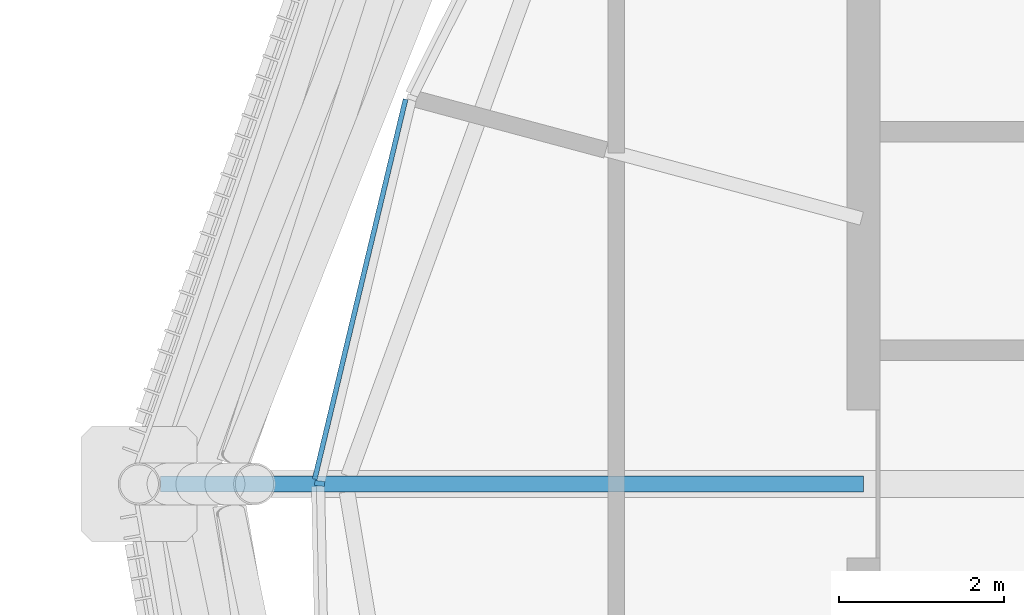
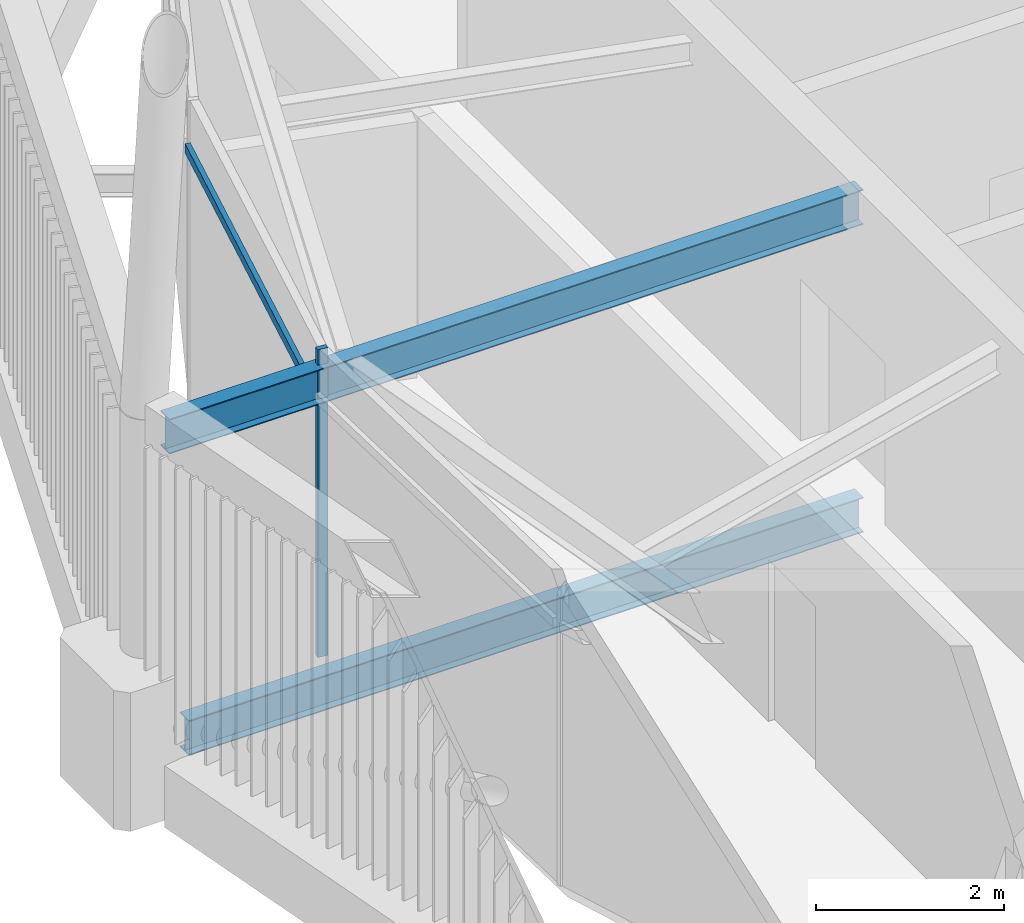
# One storey, part 45 of 71: 2 beams, 2 members, 1 element without a shape of its own.
"""IFC4 building model written with IfcOpenShell, lengths in metres."""

from ifc_helpers import new_model, si_unit, direction, frame, origin, origin_2d, place, context, subcontext, project, spatial, rectangle, i_section, extrude, material, material_profile, profile_set, type_object, element, aggregate, save


model = new_model("IFC4")

# Units and contexts
model_context = context("Model", 3, precision=1e-05, world=origin(), true_north=direction((0.0, 1.0)))
body_context = subcontext(model_context, "Body", "Model", "MODEL_VIEW")
ifc_project = project(units=[si_unit("LENGTHUNIT", "METRE"), si_unit("AREAUNIT", "SQUARE_METRE"), si_unit("VOLUMEUNIT", "CUBIC_METRE"), si_unit("PLANEANGLEUNIT", "RADIAN"), si_unit("MASSUNIT", "GRAM", prefix="KILO")], contexts=[model_context])

# Site, building, storey
site_placement = place(None, origin())
site = spatial("IfcSite", under=ifc_project, at=site_placement, CompositionType="ELEMENT")
building_placement = place(site_placement, origin())
building = spatial("IfcBuilding", under=site, at=building_placement, Name="Rimbun Link Towers", CompositionType="ELEMENT")
storey_placement = place(building_placement, frame((0.0, 0.0, 267.60009765625)))
storey = spatial("IfcBuildingStorey", under=building, at=storey_placement, Name="L65", CompositionType="ELEMENT", Elevation=267.60009765625)

# Curtain wall, members
ifc_material_1 = material(Name="Aluminium 6063-T6 louvre wall", Category="aluminium")
curtain_wall_type = type_object("IfcCurtainWallType", Name="CW6 plant floor louvre wall", PredefinedType="NOTDEFINED", material=ifc_material_1)
curtain_wall_placement = place(storey_placement, origin())
curtain_wall = element("IfcCurtainWall", 1, at=curtain_wall_placement, inside=storey, type_object=curtain_wall_type, Name="CW6 L65 T2", PredefinedType="NOTDEFINED")
ifc_material_2 = material(Name="Aluminium 6063-T6", Category="aluminium")
ifc_material_profile_1 = material_profile(ifc_material_2, rectangle(XDim=0.1201171875, YDim=0.06005859375, at=origin_2d()), Name="MULLION 60X120")
ifc_profile_set_1 = profile_set([ifc_material_profile_1], Name="Aluminium 6063-T6")
member_type_1 = type_object("IfcMemberType", Name="CW6 mullion 60X120", PredefinedType="MULLION", material=ifc_profile_set_1)
member_1_placement = place(storey_placement, frame((13.14990234375, 0.00634765625, 0.0), z_axis=(0.0, 0.0, 1.0), x_axis=(-0.99429762621, 0.10664066069, 0.0)))
member_1 = element("IfcMember", 2, at=member_1_placement, type_object=member_type_1, Name="CW6 mullion", PredefinedType="MULLION", context=body_context, shape_type="SweptSolid", body=[
    extrude(rectangle(XDim=0.1201171875, YDim=0.06005859375, at=origin_2d()), origin(), (0.0, 0.0, 1.0), 4.0),
])
ifc_material_3 = material(Name="Aluminium 6063-T6", Category="aluminium")
ifc_material_profile_2 = material_profile(ifc_material_3, rectangle(XDim=0.06005859375, YDim=0.1201171875, at=origin_2d()), Name="TRANSOM 60X120")
ifc_profile_set_2 = profile_set([ifc_material_profile_2], Name="Aluminium 6063-T6")
member_type_2 = type_object("IfcMemberType", Name="CW6 transom 60X120", PredefinedType="USERDEFINED", material=ifc_profile_set_2)
member_2_placement = place(storey_placement, frame((13.090087890625, 0.059326171875, 3.39990234375), z_axis=(0.232585921944, 0.972575852524, 0.0), x_axis=(-0.972575852524, 0.232585921944, 0.0)))
member_2 = element("IfcMember", 3, at=member_2_placement, type_object=member_type_2, Name="CW6 transom", ObjectType="TRANSOM", PredefinedType="USERDEFINED", context=body_context, shape_type="SweptSolid", body=[
    extrude(rectangle(XDim=0.06005859375, YDim=0.1201171875, at=origin_2d()), origin(), (0.0, 0.0, 1.0), 4.740234375),
])
aggregate(curtain_wall, [member_1, member_2])

# Beams
ifc_material_4 = material(Name="Steel S355J2", Category="steel")
ifc_material_profile_3 = material_profile(ifc_material_4, i_section(OverallWidth=0.18994140625, OverallDepth=0.453369140625, WebThickness=0.008544921875, FlangeThickness=0.0126953125, at=origin_2d()), Name="UB 457x191x67")
ifc_profile_set_3 = profile_set([ifc_material_profile_3], Name="Steel S355J2")
beam_type = type_object("IfcBeamType", Name="UB 457x191x67", PredefinedType="BEAM", material=ifc_profile_set_3)
beam_1_placement = place(storey_placement, frame((19.7490234375, 0.0, -0.4267578125), z_axis=(-1.0, 0.0, 0.0), x_axis=(0.0, -1.0, 0.0)))
element("IfcBeam", 4, at=beam_1_placement, inside=storey, type_object=beam_type, Name="Radial beam T2 L65 09", PredefinedType="BEAM", context=body_context, shape_type="SweptSolid", body=[
    extrude(i_section(OverallWidth=0.18994140625, OverallDepth=0.453369140625, WebThickness=0.008544921875, FlangeThickness=0.0126953125, at=origin_2d()), origin(), (0.0, 0.0, 1.0), 8.28955078125),
])
beam_2_placement = place(storey_placement, frame((19.7490234375, 0.0, 3.5732421875), z_axis=(-1.0, 0.0, 0.0), x_axis=(0.0, -1.0, 0.0)))
element("IfcBeam", 5, at=beam_2_placement, inside=storey, type_object=beam_type, Name="Radial beam T2 L65 09", PredefinedType="BEAM", context=body_context, shape_type="SweptSolid", body=[
    extrude(i_section(OverallWidth=0.18994140625, OverallDepth=0.453369140625, WebThickness=0.008544921875, FlangeThickness=0.0126953125, at=origin_2d()), origin(), (0.0, 0.0, 1.0), 8.529541015625),
])

save(model, "model.ifc")
